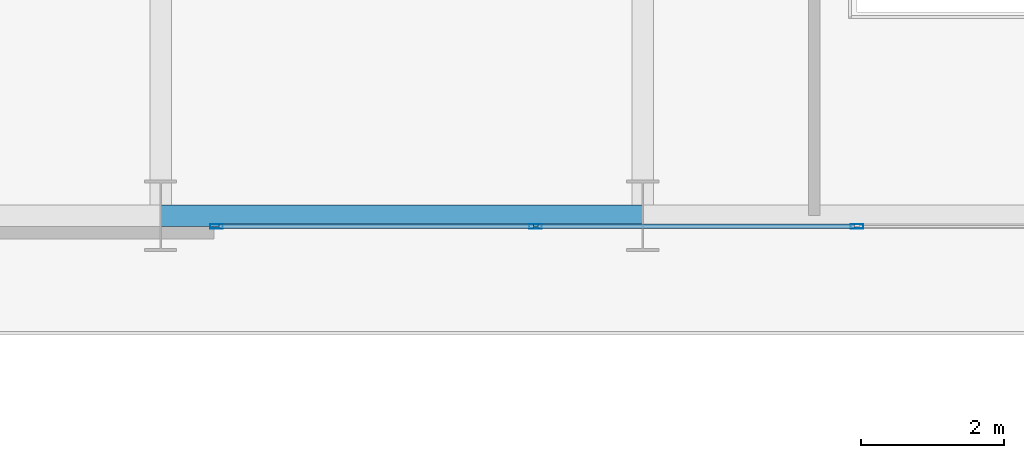
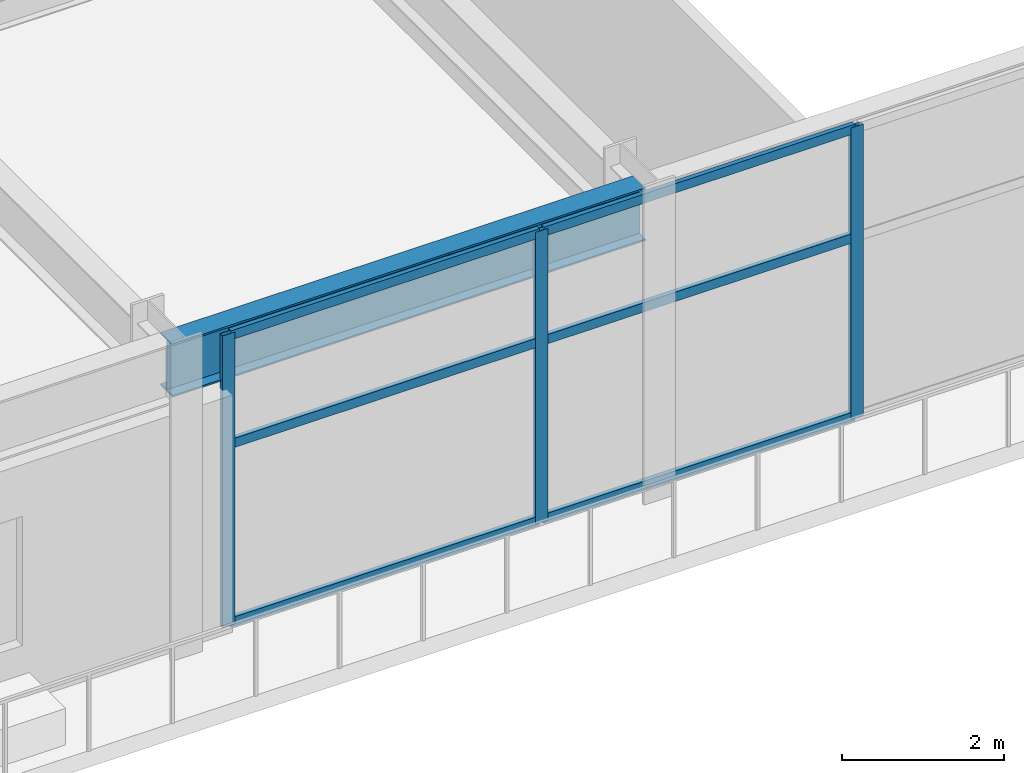
# One storey, part 4 of 28: 9 members, 1 beam, 1 element without a shape of its own.
"""IFC4 building model written with IfcOpenShell, lengths in metres."""

from ifc_helpers import new_model, si_unit, direction, frame, origin, origin_2d, place, context, subcontext, project, spatial, hollow_rectangle, i_section, extrude, material, layer, layer_set, material_profile, profile_set, type_object, element, aggregate, save


model = new_model("IFC4")

# Units and contexts
model_context = context("Model", 3, precision=1e-05, world=origin(), true_north=direction((0.0, 1.0)))
body_context = subcontext(model_context, "Body", "Model", "MODEL_VIEW")
ifc_project = project(units=[si_unit("LENGTHUNIT", "METRE"), si_unit("AREAUNIT", "SQUARE_METRE"), si_unit("VOLUMEUNIT", "CUBIC_METRE"), si_unit("PLANEANGLEUNIT", "RADIAN"), si_unit("MASSUNIT", "GRAM", prefix="KILO")], contexts=[model_context])

# Site, building, storey
site_placement = place(None, origin())
site = spatial("IfcSite", under=ifc_project, at=site_placement, CompositionType="ELEMENT")
building_placement = place(site_placement, origin())
building = spatial("IfcBuilding", under=site, at=building_placement, Name="Haevon Station Towers", CompositionType="ELEMENT")
storey_placement = place(building_placement, frame((0.0, 0.0, 10.800048828125)))
storey = spatial("IfcBuildingStorey", under=building, at=storey_placement, Name="L02", CompositionType="ELEMENT", Elevation=10.800048828125)

# Beam
ifc_material_1 = material(Name="Steel S355", Category="steel")
ifc_material_profile_1 = material_profile(ifc_material_1, i_section(OverallWidth=0.300048828125, OverallDepth=0.800048828125, WebThickness=0.013916015625, FlangeThickness=0.02587890625, at=origin_2d()), Name="H-800x300x14x26")
ifc_profile_set_1 = profile_set([ifc_material_profile_1], Name="Steel S355")
beam_type = type_object("IfcBeamType", Name="BM-PG800", PredefinedType="BEAM", material=ifc_profile_set_1)
beam_placement = place(storey_placement, frame((44.25, 15.14990234375, 4.099853515625), z_axis=(1.0, 0.0, 0.0), x_axis=(0.0, 1.0, 0.0)))
element("IfcBeam", 1, at=beam_placement, inside=storey, type_object=beam_type, Name="BM-T1X-L02-01-05", PredefinedType="BEAM", context=body_context, shape_type="SweptSolid", body=[
    extrude(i_section(OverallWidth=0.300048828125, OverallDepth=0.800048828125, WebThickness=0.013916015625, FlangeThickness=0.02587890625, at=origin_2d()), origin(), (0.0, 0.0, 1.0), 6.75),
])

# Curtain wall, members
ifc_material_2 = material(Name="Anodised aluminium and Low-E double glazing", Category="aluminium")
ifc_layer = layer(ifc_material_2, 0.179931640625)
ifc_layer_set = layer_set([ifc_layer], Name="Anodised aluminium and Low-E double glazing")
curtain_wall_type = type_object("IfcCurtainWallType", Name="CW-SYS1", PredefinedType="NOTDEFINED", material=ifc_layer_set)
curtain_wall_placement = place(storey_placement, origin())
curtain_wall = element("IfcCurtainWall", 2, at=curtain_wall_placement, inside=storey, type_object=curtain_wall_type, Name="L02 Curtain Wall CW-POD-L02-S2", PredefinedType="NOTDEFINED")
ifc_material_3 = material(Name="Anodised aluminium 6063-T6", Category="aluminium")
ifc_material_profile_2 = material_profile(ifc_material_3, hollow_rectangle(XDim=0.06494140625, YDim=0.179931640625, WallThickness=0.00390625, at=origin_2d()), Name="CWM-180x65x4")
ifc_profile_set_2 = profile_set([ifc_material_profile_2], Name="Anodised aluminium 6063-T6")
member_type_1 = type_object("IfcMemberType", Name="CWM-180", PredefinedType="MULLION", material=ifc_profile_set_2)
member_1_placement = place(storey_placement, frame((54.0, 15.0, 0.0), z_axis=(0.0, 0.0, 1.0), x_axis=(0.0, -1.0, 0.0)))
member_1 = element("IfcMember", 3, at=member_1_placement, type_object=member_type_1, Name="CW-SYS1 mullion 2", PredefinedType="MULLION", context=body_context, shape_type="SweptSolid", body=[
    extrude(hollow_rectangle(XDim=0.06494140625, YDim=0.179931640625, WallThickness=0.00390625, at=origin_2d()), origin(), (0.0, 0.0, 1.0), 4.39990234375),
])
member_2_placement = place(storey_placement, frame((49.5, 15.0, 0.0), z_axis=(0.0, 0.0, 1.0), x_axis=(0.0, -1.0, 0.0)))
member_2 = element("IfcMember", 4, at=member_2_placement, type_object=member_type_1, Name="CW-SYS1 mullion 3", PredefinedType="MULLION", context=body_context, shape_type="SweptSolid", body=[
    extrude(hollow_rectangle(XDim=0.06494140625, YDim=0.179931640625, WallThickness=0.00390625, at=origin_2d()), origin(), (0.0, 0.0, 1.0), 4.39990234375),
])
member_3_placement = place(storey_placement, frame((45.032470703125, 15.0, 0.0), z_axis=(0.0, 0.0, 1.0), x_axis=(0.0, -1.0, 0.0)))
member_3 = element("IfcMember", 5, at=member_3_placement, type_object=member_type_1, Name="CW-SYS1 mullion 4", PredefinedType="MULLION", context=body_context, shape_type="SweptSolid", body=[
    extrude(hollow_rectangle(XDim=0.06494140625, YDim=0.179931640625, WallThickness=0.00390625, at=origin_2d()), origin(), (0.0, 0.0, 1.0), 4.39990234375),
])
ifc_material_profile_3 = material_profile(ifc_material_3, hollow_rectangle(XDim=0.06494140625, YDim=0.139892578125, WallThickness=0.00341796875, at=origin_2d()), Name="CWT-140x65x3.5")
ifc_profile_set_3 = profile_set([ifc_material_profile_3], Name="Anodised aluminium 6063-T6")
member_type_2 = type_object("IfcMemberType", Name="CWT-140", PredefinedType="USERDEFINED", material=ifc_profile_set_3)
member_4_placement = place(storey_placement, frame((53.967529296875, 15.0, 0.032470703125), z_axis=(-1.0, 0.0, 0.0), x_axis=(0.0, -1.0, 0.0)))
member_4 = element("IfcMember", 6, at=member_4_placement, type_object=member_type_2, Name="CW-SYS1 transom 2.1", ObjectType="TRANSOM", PredefinedType="USERDEFINED", context=body_context, shape_type="SweptSolid", body=[
    extrude(hollow_rectangle(XDim=0.06494140625, YDim=0.139892578125, WallThickness=0.00341796875, at=origin_2d()), origin(), (0.0, 0.0, 1.0), 4.43505859375),
])
member_5_placement = place(storey_placement, frame((53.967529296875, 15.0, 2.72802734375), z_axis=(-1.0, 0.0, 0.0), x_axis=(0.0, -1.0, 0.0)))
member_5 = element("IfcMember", 7, at=member_5_placement, type_object=member_type_2, Name="CW-SYS1 transom 2.2", ObjectType="TRANSOM", PredefinedType="USERDEFINED", context=body_context, shape_type="SweptSolid", body=[
    extrude(hollow_rectangle(XDim=0.06494140625, YDim=0.139892578125, WallThickness=0.00341796875, at=origin_2d()), origin(), (0.0, 0.0, 1.0), 4.43505859375),
])
member_6_placement = place(storey_placement, frame((53.967529296875, 15.0, 4.367431640625), z_axis=(-1.0, 0.0, 0.0), x_axis=(0.0, -1.0, 0.0)))
member_6 = element("IfcMember", 8, at=member_6_placement, type_object=member_type_2, Name="CW-SYS1 transom 2.3", ObjectType="TRANSOM", PredefinedType="USERDEFINED", context=body_context, shape_type="SweptSolid", body=[
    extrude(hollow_rectangle(XDim=0.06494140625, YDim=0.139892578125, WallThickness=0.00341796875, at=origin_2d()), origin(), (0.0, 0.0, 1.0), 4.43505859375),
])
member_7_placement = place(storey_placement, frame((49.467529296875, 15.0, 0.032470703125), z_axis=(-1.0, 0.0, 0.0), x_axis=(0.0, -1.0, 0.0)))
member_7 = element("IfcMember", 9, at=member_7_placement, type_object=member_type_2, Name="CW-SYS1 transom 3.1", ObjectType="TRANSOM", PredefinedType="USERDEFINED", context=body_context, shape_type="SweptSolid", body=[
    extrude(hollow_rectangle(XDim=0.06494140625, YDim=0.139892578125, WallThickness=0.00341796875, at=origin_2d()), origin(), (0.0, 0.0, 1.0), 4.402587890625),
])
member_8_placement = place(storey_placement, frame((49.467529296875, 15.0, 2.72802734375), z_axis=(-1.0, 0.0, 0.0), x_axis=(0.0, -1.0, 0.0)))
member_8 = element("IfcMember", 10, at=member_8_placement, type_object=member_type_2, Name="CW-SYS1 transom 3.2", ObjectType="TRANSOM", PredefinedType="USERDEFINED", context=body_context, shape_type="SweptSolid", body=[
    extrude(hollow_rectangle(XDim=0.06494140625, YDim=0.139892578125, WallThickness=0.00341796875, at=origin_2d()), origin(), (0.0, 0.0, 1.0), 4.402587890625),
])
member_9_placement = place(storey_placement, frame((49.467529296875, 15.0, 4.367431640625), z_axis=(-1.0, 0.0, 0.0), x_axis=(0.0, -1.0, 0.0)))
member_9 = element("IfcMember", 11, at=member_9_placement, type_object=member_type_2, Name="CW-SYS1 transom 3.3", ObjectType="TRANSOM", PredefinedType="USERDEFINED", context=body_context, shape_type="SweptSolid", body=[
    extrude(hollow_rectangle(XDim=0.06494140625, YDim=0.139892578125, WallThickness=0.00341796875, at=origin_2d()), origin(), (0.0, 0.0, 1.0), 4.402587890625),
])
aggregate(curtain_wall, [member_1, member_2, member_3, member_4, member_5, member_6, member_7, member_8, member_9])

save(model, "model.ifc")
